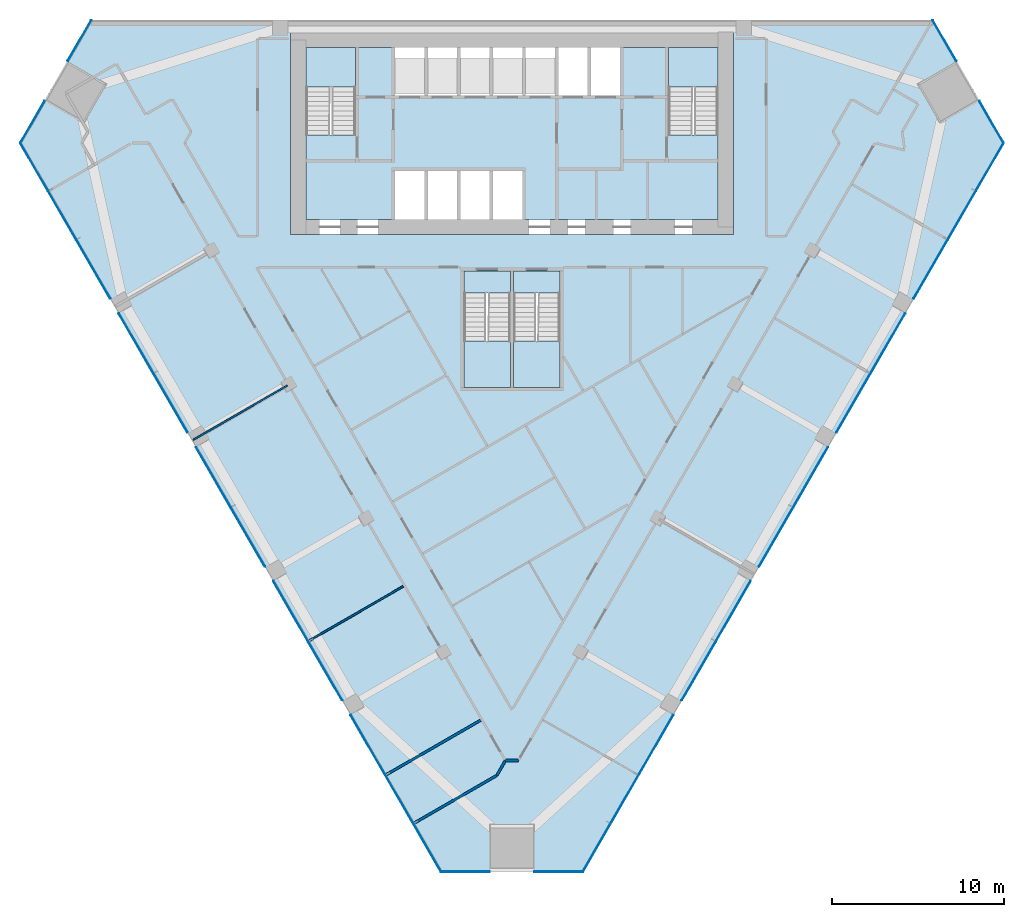
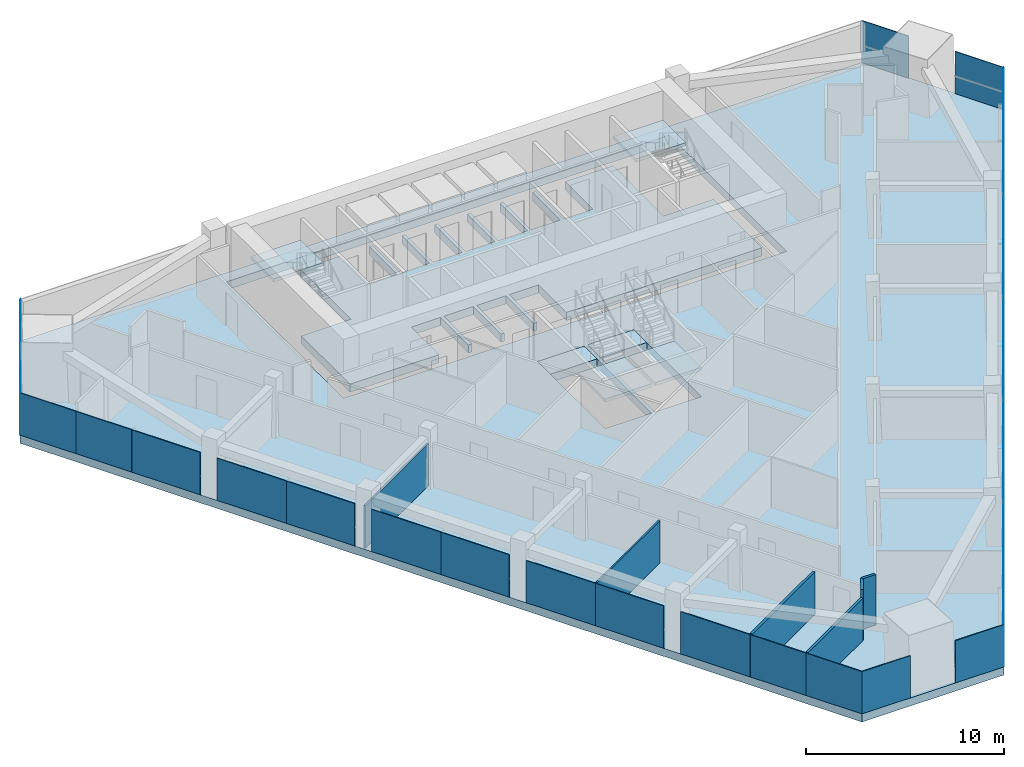
# One storey, part 8 of 14: 30 plates, 8 slabs, 6 walls, 9 elements without a shape of their own.
"""IFC4 building model written with IfcOpenShell, lengths in metres."""

from ifc_helpers import new_model, si_unit, direction, frame, frame_2d, origin, origin_2d, place, context, subcontext, project, spatial, polyline, rectangle, outline, extrude, material, layer, layer_set, type_object, element, aggregate, save


model = new_model("IFC4")

# Units and contexts
model_context = context("Model", 3, precision=1e-05, world=origin(), true_north=direction((0.0, 1.0)))
body_context = subcontext(model_context, "Body", "Model", "MODEL_VIEW")
ifc_project = project(units=[si_unit("LENGTHUNIT", "METRE"), si_unit("AREAUNIT", "SQUARE_METRE"), si_unit("VOLUMEUNIT", "CUBIC_METRE"), si_unit("PLANEANGLEUNIT", "RADIAN"), si_unit("MASSUNIT", "GRAM", prefix="KILO")], contexts=[model_context])

# Site, building, storey
site_placement = place(None, origin())
site = spatial("IfcSite", under=ifc_project, at=site_placement, CompositionType="ELEMENT")
building_placement = place(site_placement, origin())
building = spatial("IfcBuilding", under=site, at=building_placement, Name="Altiplano Prism Tower", CompositionType="ELEMENT")
storey_placement = place(building_placement, frame((0.0, 0.0, 108.0)))
storey = spatial("IfcBuildingStorey", under=building, at=storey_placement, Name="L27", CompositionType="ELEMENT", Elevation=108.0)

# Curtain wall, plates
ifc_material_1 = material(Name="Aluminium and glass", Category="aluminium")
ifc_layer_1 = layer(ifc_material_1, 0.303955078125)
ifc_layer_set_1 = layer_set([ifc_layer_1], Name="Aluminium and glass")
curtain_wall_type = type_object("IfcCurtainWallType", Name="CW2 lounge-band unitised glazing", PredefinedType="NOTDEFINED", material=ifc_layer_set_1)
curtain_wall_1_placement = place(storey_placement, origin())
curtain_wall_1 = element("IfcCurtainWall", 1, at=curtain_wall_1_placement, inside=storey, type_object=curtain_wall_type, Name="CW2 curtain wall north-west chamfer L27", PredefinedType="NOTDEFINED")
ifc_material_2 = material(Name="Clear glass", Category="glass")
ifc_layer_2 = layer(ifc_material_2, 0.0439453125)
ifc_layer_set_2 = layer_set([ifc_layer_2], Name="Clear glass")
plate_type = type_object("IfcPlateType", Name="CW2 insulated glass unit 44", PredefinedType="CURTAIN_PANEL", material=ifc_layer_set_2)
plate_1_placement = place(storey_placement, frame((59.8251953125, 103.79638671875, 0.0), z_axis=(0.0, 0.0, 1.0), x_axis=(-0.499999947354, -0.866025434179, 0.0)))
plate_1 = element("IfcPlate", 2, at=plate_1_placement, type_object=plate_type, Name="CW2 panel", PredefinedType="CURTAIN_PANEL", context=body_context, shape_type="SweptSolid", body=[
    extrude(rectangle(XDim=2.744140625, YDim=0.0439453125, at=origin_2d()), origin(), (0.0, 0.0, 1.0), 2.60009765625),
])
plate_2_placement = place(storey_placement, frame((57.088134765625, 99.0556640625, 0.0), z_axis=(0.0, 0.0, 1.0), x_axis=(-0.499999947354, -0.866025434179, 0.0)))
plate_2 = element("IfcPlate", 3, at=plate_2_placement, type_object=plate_type, Name="CW2 panel", PredefinedType="CURTAIN_PANEL", context=body_context, shape_type="SweptSolid", body=[
    extrude(rectangle(XDim=2.82421875, YDim=0.0439453125, at=origin_2d()), origin(), (0.0, 0.0, 1.0), 2.60009765625),
])
aggregate(curtain_wall_1, [plate_1, plate_2])

curtain_wall_2_placement = place(storey_placement, origin())
curtain_wall_2 = element("IfcCurtainWall", 4, at=curtain_wall_2_placement, inside=storey, type_object=curtain_wall_type, Name="CW2 curtain wall south-west face L27", PredefinedType="NOTDEFINED")
plate_3_placement = place(storey_placement, frame((57.19287109375, 96.442138671875, 0.0), z_axis=(0.0, 0.0, 1.0), x_axis=(0.499999989797, -0.866025409675, 0.0)))
plate_3 = element("IfcPlate", 5, at=plate_3_placement, type_object=plate_type, Name="CW2 panel", PredefinedType="CURTAIN_PANEL", context=body_context, shape_type="SweptSolid", body=[
    extrude(rectangle(XDim=3.24267578125, YDim=0.0439453125, at=origin_2d()), origin(), (0.0, 0.0, 1.0), 2.60009765625),
])
plate_4_placement = place(storey_placement, frame((58.819091796875, 93.625244140625, 0.0), z_axis=(0.0, 0.0, 1.0), x_axis=(0.499999989797, -0.866025409675, 0.0)))
plate_4 = element("IfcPlate", 6, at=plate_4_placement, type_object=plate_type, Name="CW2 panel", PredefinedType="CURTAIN_PANEL", context=body_context, shape_type="SweptSolid", body=[
    extrude(rectangle(XDim=3.24267578125, YDim=0.0439453125, at=origin_2d()), origin(), (0.0, 0.0, 1.0), 2.60009765625),
])
plate_5_placement = place(storey_placement, frame((60.625, 90.49755859375, 0.0), z_axis=(0.0, 0.0, 1.0), x_axis=(0.499999989797, -0.866025409675, 0.0)))
plate_5 = element("IfcPlate", 7, at=plate_5_placement, type_object=plate_type, Name="CW2 panel", PredefinedType="CURTAIN_PANEL", context=body_context, shape_type="SweptSolid", body=[
    extrude(rectangle(XDim=3.96044921875, YDim=0.0439453125, at=origin_2d()), origin(), (0.0, 0.0, 1.0), 2.60009765625),
])
plate_6_placement = place(storey_placement, frame((63.119873046875, 86.176025390625, 0.0), z_axis=(0.0, 0.0, 1.0), x_axis=(0.499999989797, -0.866025409675, 0.0)))
plate_6 = element("IfcPlate", 8, at=plate_6_placement, type_object=plate_type, Name="CW2 panel", PredefinedType="CURTAIN_PANEL", context=body_context, shape_type="SweptSolid", body=[
    extrude(rectangle(XDim=4.039306640625, YDim=0.0439453125, at=origin_2d()), origin(), (0.0, 0.0, 1.0), 2.60009765625),
])
plate_7_placement = place(storey_placement, frame((65.125, 82.703125, 0.0), z_axis=(0.0, 0.0, 1.0), x_axis=(0.499999989797, -0.866025409675, 0.0)))
plate_7 = element("IfcPlate", 9, at=plate_7_placement, type_object=plate_type, Name="CW2 panel", PredefinedType="CURTAIN_PANEL", context=body_context, shape_type="SweptSolid", body=[
    extrude(rectangle(XDim=3.96044921875, YDim=0.0439453125, at=origin_2d()), origin(), (0.0, 0.0, 1.0), 2.60009765625),
])
plate_8_placement = place(storey_placement, frame((67.619873046875, 78.381591796875, 0.0), z_axis=(0.0, 0.0, 1.0), x_axis=(0.499999989797, -0.866025409675, 0.0)))
plate_8 = element("IfcPlate", 10, at=plate_8_placement, type_object=plate_type, Name="CW2 panel", PredefinedType="CURTAIN_PANEL", context=body_context, shape_type="SweptSolid", body=[
    extrude(rectangle(XDim=4.039306640625, YDim=0.0439453125, at=origin_2d()), origin(), (0.0, 0.0, 1.0), 2.60009765625),
])
plate_9_placement = place(storey_placement, frame((69.625, 74.908935546875, 0.0), z_axis=(0.0, 0.0, 1.0), x_axis=(0.499999989797, -0.866025409675, 0.0)))
plate_9 = element("IfcPlate", 11, at=plate_9_placement, type_object=plate_type, Name="CW2 panel", PredefinedType="CURTAIN_PANEL", context=body_context, shape_type="SweptSolid", body=[
    extrude(rectangle(XDim=3.96044921875, YDim=0.0439453125, at=origin_2d()), origin(), (0.0, 0.0, 1.0), 2.60009765625),
])
plate_10_placement = place(storey_placement, frame((72.119873046875, 70.58740234375, 0.0), z_axis=(0.0, 0.0, 1.0), x_axis=(0.499999989797, -0.866025409675, 0.0)))
plate_10 = element("IfcPlate", 12, at=plate_10_placement, type_object=plate_type, Name="CW2 panel", PredefinedType="CURTAIN_PANEL", context=body_context, shape_type="SweptSolid", body=[
    extrude(rectangle(XDim=4.039306640625, YDim=0.0439453125, at=origin_2d()), origin(), (0.0, 0.0, 1.0), 2.60009765625),
])
plate_11_placement = place(storey_placement, frame((74.125, 67.11474609375, 0.0), z_axis=(0.0, 0.0, 1.0), x_axis=(0.499999989797, -0.866025409675, 0.0)))
plate_11 = element("IfcPlate", 13, at=plate_11_placement, type_object=plate_type, Name="CW2 panel", PredefinedType="CURTAIN_PANEL", context=body_context, shape_type="SweptSolid", body=[
    extrude(rectangle(XDim=3.96044921875, YDim=0.0439453125, at=origin_2d()), origin(), (0.0, 0.0, 1.0), 2.60009765625),
])
plate_12_placement = place(storey_placement, frame((76.619873046875, 62.793212890625, 0.0), z_axis=(0.0, 0.0, 1.0), x_axis=(0.499999989797, -0.866025409675, 0.0)))
plate_12 = element("IfcPlate", 14, at=plate_12_placement, type_object=plate_type, Name="CW2 panel", PredefinedType="CURTAIN_PANEL", context=body_context, shape_type="SweptSolid", body=[
    extrude(rectangle(XDim=4.039306640625, YDim=0.0439453125, at=origin_2d()), origin(), (0.0, 0.0, 1.0), 2.60009765625),
])
plate_13_placement = place(storey_placement, frame((78.445556640625, 59.63134765625, 0.0), z_axis=(0.0, 0.0, 1.0), x_axis=(0.499999989797, -0.866025409675, 0.0)))
plate_13 = element("IfcPlate", 15, at=plate_13_placement, type_object=plate_type, Name="CW2 panel", PredefinedType="CURTAIN_PANEL", context=body_context, shape_type="SweptSolid", body=[
    extrude(rectangle(XDim=3.24267578125, YDim=0.0439453125, at=origin_2d()), origin(), (0.0, 0.0, 1.0), 2.60009765625),
])
plate_14_placement = place(storey_placement, frame((80.07177734375, 56.814453125, 0.0), z_axis=(0.0, 0.0, 1.0), x_axis=(0.499999989797, -0.866025409675, 0.0)))
plate_14 = element("IfcPlate", 16, at=plate_14_placement, type_object=plate_type, Name="CW2 panel", PredefinedType="CURTAIN_PANEL", context=body_context, shape_type="SweptSolid", body=[
    extrude(rectangle(XDim=3.24267578125, YDim=0.0439453125, at=origin_2d()), origin(), (0.0, 0.0, 1.0), 2.60009765625),
])
aggregate(curtain_wall_2, [plate_3, plate_4, plate_5, plate_6, plate_7, plate_8, plate_9, plate_10, plate_11, plate_12, plate_13, plate_14])

curtain_wall_3_placement = place(storey_placement, origin())
curtain_wall_3 = element("IfcCurtainWall", 17, at=curtain_wall_3_placement, inside=storey, type_object=curtain_wall_type, Name="CW2 curtain wall south chamfer L27", PredefinedType="NOTDEFINED")
plate_15_placement = place(storey_placement, frame((82.282958984375, 55.4169921875, 0.0), z_axis=(0.0, 0.0, 1.0), x_axis=(1.0, 0.0, 0.0)))
plate_15 = element("IfcPlate", 18, at=plate_15_placement, type_object=plate_type, Name="CW2 panel", PredefinedType="CURTAIN_PANEL", context=body_context, shape_type="SweptSolid", body=[
    extrude(rectangle(XDim=2.823974609375, YDim=0.0439453125, at=origin_2d()), origin(), (0.0, 0.0, 1.0), 2.60009765625),
])
plate_16_placement = place(storey_placement, frame((87.717041015625, 55.4169921875, 0.0), z_axis=(0.0, 0.0, 1.0), x_axis=(1.0, 0.0, 0.0)))
plate_16 = element("IfcPlate", 19, at=plate_16_placement, type_object=plate_type, Name="CW2 panel", PredefinedType="CURTAIN_PANEL", context=body_context, shape_type="SweptSolid", body=[
    extrude(rectangle(XDim=2.823974609375, YDim=0.0439453125, at=origin_2d()), origin(), (0.0, 0.0, 1.0), 2.60009765625),
])
aggregate(curtain_wall_3, [plate_15, plate_16])

curtain_wall_4_placement = place(storey_placement, origin())
curtain_wall_4 = element("IfcCurtainWall", 20, at=curtain_wall_4_placement, inside=storey, type_object=curtain_wall_type, Name="CW2 curtain wall south-east face L27", PredefinedType="NOTDEFINED")
plate_17_placement = place(storey_placement, frame((89.92822265625, 56.814453125, 0.0), z_axis=(0.0, 0.0, 1.0), x_axis=(0.499999989797, 0.866025409675, 0.0)))
plate_17 = element("IfcPlate", 21, at=plate_17_placement, type_object=plate_type, Name="CW2 panel", PredefinedType="CURTAIN_PANEL", context=body_context, shape_type="SweptSolid", body=[
    extrude(rectangle(XDim=3.24267578125, YDim=0.0439453125, at=origin_2d()), origin(), (0.0, 0.0, 1.0), 2.60009765625),
])
plate_18_placement = place(storey_placement, frame((91.554443359375, 59.63134765625, 0.0), z_axis=(0.0, 0.0, 1.0), x_axis=(0.499999989797, 0.866025409675, 0.0)))
plate_18 = element("IfcPlate", 22, at=plate_18_placement, type_object=plate_type, Name="CW2 panel", PredefinedType="CURTAIN_PANEL", context=body_context, shape_type="SweptSolid", body=[
    extrude(rectangle(XDim=3.24267578125, YDim=0.0439453125, at=origin_2d()), origin(), (0.0, 0.0, 1.0), 2.60009765625),
])
plate_19_placement = place(storey_placement, frame((93.380126953125, 62.793212890625, 0.0), z_axis=(0.0, 0.0, 1.0), x_axis=(0.499999989797, 0.866025409675, 0.0)))
plate_19 = element("IfcPlate", 23, at=plate_19_placement, type_object=plate_type, Name="CW2 panel", PredefinedType="CURTAIN_PANEL", context=body_context, shape_type="SweptSolid", body=[
    extrude(rectangle(XDim=4.039306640625, YDim=0.0439453125, at=origin_2d()), origin(), (0.0, 0.0, 1.0), 2.60009765625),
])
plate_20_placement = place(storey_placement, frame((95.875, 67.11474609375, 0.0), z_axis=(0.0, 0.0, 1.0), x_axis=(0.499999989797, 0.866025409675, 0.0)))
plate_20 = element("IfcPlate", 24, at=plate_20_placement, type_object=plate_type, Name="CW2 panel", PredefinedType="CURTAIN_PANEL", context=body_context, shape_type="SweptSolid", body=[
    extrude(rectangle(XDim=3.96044921875, YDim=0.0439453125, at=origin_2d()), origin(), (0.0, 0.0, 1.0), 2.60009765625),
])
plate_21_placement = place(storey_placement, frame((97.880126953125, 70.58740234375, 0.0), z_axis=(0.0, 0.0, 1.0), x_axis=(0.499999989797, 0.866025409675, 0.0)))
plate_21 = element("IfcPlate", 25, at=plate_21_placement, type_object=plate_type, Name="CW2 panel", PredefinedType="CURTAIN_PANEL", context=body_context, shape_type="SweptSolid", body=[
    extrude(rectangle(XDim=4.039306640625, YDim=0.0439453125, at=origin_2d()), origin(), (0.0, 0.0, 1.0), 2.60009765625),
])
plate_22_placement = place(storey_placement, frame((100.375, 74.908935546875, 0.0), z_axis=(0.0, 0.0, 1.0), x_axis=(0.499999989797, 0.866025409675, 0.0)))
plate_22 = element("IfcPlate", 26, at=plate_22_placement, type_object=plate_type, Name="CW2 panel", PredefinedType="CURTAIN_PANEL", context=body_context, shape_type="SweptSolid", body=[
    extrude(rectangle(XDim=3.96044921875, YDim=0.0439453125, at=origin_2d()), origin(), (0.0, 0.0, 1.0), 2.60009765625),
])
plate_23_placement = place(storey_placement, frame((102.380126953125, 78.381591796875, 0.0), z_axis=(0.0, 0.0, 1.0), x_axis=(0.499999989797, 0.866025409675, 0.0)))
plate_23 = element("IfcPlate", 27, at=plate_23_placement, type_object=plate_type, Name="CW2 panel", PredefinedType="CURTAIN_PANEL", context=body_context, shape_type="SweptSolid", body=[
    extrude(rectangle(XDim=4.039306640625, YDim=0.0439453125, at=origin_2d()), origin(), (0.0, 0.0, 1.0), 2.60009765625),
])
plate_24_placement = place(storey_placement, frame((104.875, 82.703125, 0.0), z_axis=(0.0, 0.0, 1.0), x_axis=(0.499999989797, 0.866025409675, 0.0)))
plate_24 = element("IfcPlate", 28, at=plate_24_placement, type_object=plate_type, Name="CW2 panel", PredefinedType="CURTAIN_PANEL", context=body_context, shape_type="SweptSolid", body=[
    extrude(rectangle(XDim=3.96044921875, YDim=0.0439453125, at=origin_2d()), origin(), (0.0, 0.0, 1.0), 2.60009765625),
])
plate_25_placement = place(storey_placement, frame((106.880126953125, 86.176025390625, 0.0), z_axis=(0.0, 0.0, 1.0), x_axis=(0.499999989797, 0.866025409675, 0.0)))
plate_25 = element("IfcPlate", 29, at=plate_25_placement, type_object=plate_type, Name="CW2 panel", PredefinedType="CURTAIN_PANEL", context=body_context, shape_type="SweptSolid", body=[
    extrude(rectangle(XDim=4.039306640625, YDim=0.0439453125, at=origin_2d()), origin(), (0.0, 0.0, 1.0), 2.60009765625),
])
plate_26_placement = place(storey_placement, frame((109.375, 90.49755859375, 0.0), z_axis=(0.0, 0.0, 1.0), x_axis=(0.499999989797, 0.866025409675, 0.0)))
plate_26 = element("IfcPlate", 30, at=plate_26_placement, type_object=plate_type, Name="CW2 panel", PredefinedType="CURTAIN_PANEL", context=body_context, shape_type="SweptSolid", body=[
    extrude(rectangle(XDim=3.96044921875, YDim=0.0439453125, at=origin_2d()), origin(), (0.0, 0.0, 1.0), 2.60009765625),
])
plate_27_placement = place(storey_placement, frame((111.180908203125, 93.625244140625, 0.0), z_axis=(0.0, 0.0, 1.0), x_axis=(0.499999989797, 0.866025409675, 0.0)))
plate_27 = element("IfcPlate", 31, at=plate_27_placement, type_object=plate_type, Name="CW2 panel", PredefinedType="CURTAIN_PANEL", context=body_context, shape_type="SweptSolid", body=[
    extrude(rectangle(XDim=3.24267578125, YDim=0.0439453125, at=origin_2d()), origin(), (0.0, 0.0, 1.0), 2.60009765625),
])
plate_28_placement = place(storey_placement, frame((112.80712890625, 96.442138671875, 0.0), z_axis=(0.0, 0.0, 1.0), x_axis=(0.499999989797, 0.866025409675, 0.0)))
plate_28 = element("IfcPlate", 32, at=plate_28_placement, type_object=plate_type, Name="CW2 panel", PredefinedType="CURTAIN_PANEL", context=body_context, shape_type="SweptSolid", body=[
    extrude(rectangle(XDim=3.24267578125, YDim=0.0439453125, at=origin_2d()), origin(), (0.0, 0.0, 1.0), 2.60009765625),
])
aggregate(curtain_wall_4, [plate_17, plate_18, plate_19, plate_20, plate_21, plate_22, plate_23, plate_24, plate_25, plate_26, plate_27, plate_28])

curtain_wall_5_placement = place(storey_placement, origin())
curtain_wall_5 = element("IfcCurtainWall", 33, at=curtain_wall_5_placement, inside=storey, type_object=curtain_wall_type, Name="CW2 curtain wall north-east chamfer L27", PredefinedType="NOTDEFINED")
plate_29_placement = place(storey_placement, frame((112.911865234375, 99.0556640625, 0.0), z_axis=(0.0, 0.0, 1.0), x_axis=(-0.499999947354, 0.866025434179, 0.0)))
plate_29 = element("IfcPlate", 34, at=plate_29_placement, type_object=plate_type, Name="CW2 panel", PredefinedType="CURTAIN_PANEL", context=body_context, shape_type="SweptSolid", body=[
    extrude(rectangle(XDim=2.82421875, YDim=0.0439453125, at=origin_2d()), origin(), (0.0, 0.0, 1.0), 2.60009765625),
])
plate_30_placement = place(storey_placement, frame((110.1748046875, 103.79638671875, 0.0), z_axis=(0.0, 0.0, 1.0), x_axis=(-0.499999947354, 0.866025434179, 0.0)))
plate_30 = element("IfcPlate", 35, at=plate_30_placement, type_object=plate_type, Name="CW2 panel", PredefinedType="CURTAIN_PANEL", context=body_context, shape_type="SweptSolid", body=[
    extrude(rectangle(XDim=2.744140625, YDim=0.0439453125, at=origin_2d()), origin(), (0.0, 0.0, 1.0), 2.60009765625),
])
aggregate(curtain_wall_5, [plate_29, plate_30])

# Slabs
ifc_material_3 = material(Name="Concrete C40/50", Category="concrete")
ifc_layer_3 = layer(ifc_material_3, 0.5)
ifc_layer_set_3 = layer_set([ifc_layer_3], Name="Concrete C40/50")
slab_type_1 = type_object("IfcSlabType", Name="Core floor slab 500", PredefinedType="FLOOR", material=ifc_layer_set_3)
slab_1_placement = place(storey_placement, frame((0.0, 0.0, -0.5)))
element("IfcSlab", 36, at=slab_1_placement, inside=storey, type_object=slab_type_1, Name="Core floor slab L27", PredefinedType="FLOOR", context=body_context, shape_type="SweptSolid", body=[
    extrude(outline(polyline([(97.0, 98.31005859375), (94.10009765625, 98.31005859375), (94.10009765625, 103.39990234375), (91.300048828125, 103.39990234375), (91.300048828125, 100.60009765625), (89.60009765625, 100.60009765625), (89.60009765625, 103.39990234375), (89.39990234375, 103.39990234375), (89.39990234375, 100.60009765625), (87.699951171875, 100.60009765625), (87.699951171875, 103.39990234375), (87.5, 103.39990234375), (87.5, 100.60009765625), (85.800048828125, 100.60009765625), (85.800048828125, 103.39990234375), (85.60009765625, 103.39990234375), (85.60009765625, 100.60009765625), (83.89990234375, 100.60009765625), (83.89990234375, 103.39990234375), (83.699951171875, 103.39990234375), (83.699951171875, 100.60009765625), (82.0, 100.60009765625), (82.0, 103.39990234375), (81.800048828125, 103.39990234375), (81.800048828125, 100.60009765625), (80.10009765625, 100.60009765625), (80.10009765625, 103.39990234375), (79.89990234375, 103.39990234375), (79.89990234375, 100.60009765625), (78.199951171875, 100.60009765625), (78.199951171875, 103.39990234375), (75.89990234375, 103.39990234375), (75.89990234375, 98.31005859375), (73.0, 98.31005859375), (73.0, 93.39990234375), (78.199951171875, 93.39990234375), (78.199951171875, 96.199951171875), (79.89990234375, 96.199951171875), (79.89990234375, 93.39990234375), (80.10009765625, 93.39990234375), (80.10009765625, 96.199951171875), (81.800048828125, 96.199951171875), (81.800048828125, 93.39990234375), (82.0, 93.39990234375), (82.0, 96.199951171875), (83.699951171875, 96.199951171875), (83.699951171875, 93.39990234375), (83.89990234375, 93.39990234375), (83.89990234375, 96.199951171875), (85.60009765625, 96.199951171875), (85.60009765625, 93.39990234375), (97.0, 93.39990234375), (97.0, 98.31005859375)])), origin(), (0.0, 0.0, 1.0), 0.5),
])
slab_2_placement = place(storey_placement, frame((0.0, 0.0, -0.5)))
element("IfcSlab", 37, at=slab_2_placement, inside=storey, type_object=slab_type_1, Name="Stair 3A landing slab L27", PredefinedType="FLOOR", context=body_context, shape_type="SweptSolid", body=[
    extrude(outline(polyline([(82.199951171875, 89.096923828125), (84.89990234375, 89.096923828125), (84.89990234375, 90.39990234375), (82.199951171875, 90.39990234375), (82.199951171875, 89.096923828125)])), origin(), (0.0, 0.0, 1.0), 0.5),
])
slab_3_placement = place(storey_placement, frame((0.0, 0.0, -0.5)))
element("IfcSlab", 38, at=slab_3_placement, inside=storey, type_object=slab_type_1, Name="Stair 3B landing slab L27", PredefinedType="FLOOR", context=body_context, shape_type="SweptSolid", body=[
    extrude(outline(polyline([(85.10009765625, 89.096923828125), (87.800048828125, 89.096923828125), (87.800048828125, 90.39990234375), (85.10009765625, 90.39990234375), (85.10009765625, 89.096923828125)])), origin(), (0.0, 0.0, 1.0), 0.5),
])
ifc_layer_4 = layer(ifc_material_3, 0.5)
ifc_layer_set_4 = layer_set([ifc_layer_4], Name="Concrete C40/50")
slab_type_2 = type_object("IfcSlabType", Name="Post-tensioned flat slab 500", PredefinedType="FLOOR", material=ifc_layer_set_4)
slab_4_placement = place(storey_placement, frame((0.0, 0.0, -0.5)))
element("IfcSlab", 39, at=slab_4_placement, inside=storey, type_object=slab_type_2, Name="Floor slab L27", PredefinedType="FLOOR", context=body_context, shape_type="SweptSolid", body=[
    extrude(outline(polyline([(80.865966796875, 55.39501953125), (56.360595703125, 97.839599609375), (60.49462890625, 105.0), (109.50537109375, 105.0), (113.639404296875, 97.839599609375), (89.134033203125, 55.39501953125), (80.865966796875, 55.39501953125)]), holes=[polyline([(72.10009765625, 104.300048828125), (72.10009765625, 92.5), (97.89990234375, 92.5), (97.89990234375, 104.300048828125), (72.10009765625, 104.300048828125)]), polyline([(84.89990234375, 90.39990234375), (82.199951171875, 90.39990234375), (82.199951171875, 83.60009765625), (84.89990234375, 83.60009765625), (84.89990234375, 90.39990234375)]), polyline([(87.800048828125, 83.60009765625), (87.800048828125, 90.39990234375), (85.10009765625, 90.39990234375), (85.10009765625, 83.60009765625), (87.800048828125, 83.60009765625)])]), origin(), (0.0, 0.0, 1.0), 0.5),
])

# Stair, slab
stair_type_1 = type_object("IfcStairType", Name="Exit stair 1400", PredefinedType="HALF_TURN_STAIR", material=ifc_material_3)
stair_1_placement = place(storey_placement, origin())
stair_1 = element("IfcStair", 40, at=stair_1_placement, inside=storey, type_object=stair_type_1, Name="L27 Exit Stair 1", PredefinedType="HALF_TURN_STAIR")
ifc_layer_5 = layer(ifc_material_3, 0.199951171875)
ifc_layer_set_5 = layer_set([ifc_layer_5], Name="Concrete C40/50")
slab_type_3 = type_object("IfcSlabType", Name="Stair landing 200", PredefinedType="LANDING", material=ifc_layer_set_5)
slab_5_placement = place(storey_placement, frame((0.0, 0.0, 1.60009765625)))
slab_5 = element("IfcSlab", 41, at=slab_5_placement, type_object=slab_type_3, Name="ST1 landing 1", PredefinedType="LANDING", context=body_context, shape_type="SweptSolid", body=[
    extrude(outline(polyline([(75.89990234375, 101.096923828125), (75.89990234375, 103.39990234375), (73.0, 103.39990234375), (73.0, 101.096923828125), (75.89990234375, 101.096923828125)])), origin(), (0.0, 0.0, 1.0), 0.199951171875),
])
aggregate(stair_1, [slab_5])

stair_2_placement = place(storey_placement, origin())
stair_2 = element("IfcStair", 42, at=stair_2_placement, inside=storey, type_object=stair_type_1, Name="L27 Exit Stair 2", PredefinedType="HALF_TURN_STAIR")
slab_6_placement = place(storey_placement, frame((0.0, 0.0, 1.60009765625)))
slab_6 = element("IfcSlab", 43, at=slab_6_placement, type_object=slab_type_3, Name="ST2 landing 1", PredefinedType="LANDING", context=body_context, shape_type="SweptSolid", body=[
    extrude(outline(polyline([(97.0, 101.096923828125), (97.0, 103.39990234375), (94.10009765625, 103.39990234375), (94.10009765625, 101.096923828125), (97.0, 101.096923828125)])), origin(), (0.0, 0.0, 1.0), 0.199951171875),
])
aggregate(stair_2, [slab_6])

stair_type_2 = type_object("IfcStairType", Name="Exit stair 1300", PredefinedType="HALF_TURN_STAIR", material=ifc_material_3)
stair_3_placement = place(storey_placement, origin())
stair_3 = element("IfcStair", 44, at=stair_3_placement, inside=storey, type_object=stair_type_2, Name="L27 Exit Stair 3A", PredefinedType="HALF_TURN_STAIR")
slab_7_placement = place(storey_placement, frame((0.0, 0.0, 1.60009765625)))
slab_7 = element("IfcSlab", 45, at=slab_7_placement, type_object=slab_type_3, Name="ST3A landing 1", PredefinedType="LANDING", context=body_context, shape_type="SweptSolid", body=[
    extrude(outline(polyline([(82.199951171875, 86.302978515625), (82.199951171875, 83.60009765625), (84.89990234375, 83.60009765625), (84.89990234375, 86.302978515625), (82.199951171875, 86.302978515625)])), origin(), (0.0, 0.0, 1.0), 0.199951171875),
])
aggregate(stair_3, [slab_7])

stair_4_placement = place(storey_placement, origin())
stair_4 = element("IfcStair", 46, at=stair_4_placement, inside=storey, type_object=stair_type_2, Name="L27 Exit Stair 3B", PredefinedType="HALF_TURN_STAIR")
slab_8_placement = place(storey_placement, frame((0.0, 0.0, 1.60009765625)))
slab_8 = element("IfcSlab", 47, at=slab_8_placement, type_object=slab_type_3, Name="ST3B landing 1", PredefinedType="LANDING", context=body_context, shape_type="SweptSolid", body=[
    extrude(outline(polyline([(85.10009765625, 86.302978515625), (85.10009765625, 83.60009765625), (87.800048828125, 83.60009765625), (87.800048828125, 86.302978515625), (85.10009765625, 86.302978515625)])), origin(), (0.0, 0.0, 1.0), 0.199951171875),
])
aggregate(stair_4, [slab_8])

# Walls
ifc_material_4 = material(Name="Plasterboard on steel stud", Category="steel")
ifc_layer_6 = layer(ifc_material_4, 0.10009765625)
ifc_layer_set_6 = layer_set([ifc_layer_6], Name="Plasterboard on steel stud")
wall_type_1 = type_object("IfcWallType", Name="Partition 100 wet", PredefinedType="PARTITIONING", material=ifc_layer_set_6)
for number, where, z_axis, x_axis, name in (
    (48, (66.449951171875, 80.564453125, 0.0), (0.0, 0.0, 1.0), (0.866032601554, 0.49998753289, 0.0), "Partition P03 L27 046"),
    (49, (73.199951171875, 68.873046875, 0.0), (0.0, 0.0, 1.0), (0.866015887322, 0.500016482634, 0.0), "Partition P03 L27 047"),
):
    element("IfcWall", number, at=place(storey_placement, frame(where, z_axis=z_axis, x_axis=x_axis)), inside=storey, type_object=wall_type_1, Name=name, PredefinedType="PARTITIONING", context=body_context, shape_type="SweptSolid", body=[
        extrude(rectangle(XDim=6.324951171875, YDim=0.10009765625, at=frame_2d((3.16259765625, 0.0))), origin(), (0.0, 0.0, 1.0), 2.60009765625),
    ])
ifc_layer_7 = layer(ifc_material_4, 0.14990234375)
ifc_layer_set_7 = layer_set([ifc_layer_7], Name="Plasterboard on steel stud")
wall_type_2 = type_object("IfcWallType", Name="Partition 150 corridor", PredefinedType="PARTITIONING", material=ifc_layer_set_7)
wall_1_placement = place(storey_placement, frame((84.61865234375, 61.89501953125, 0.0), z_axis=(0.0, 0.0, 1.0), x_axis=(1.0, 0.0, 0.0)))
element("IfcWall", 50, at=wall_1_placement, inside=storey, type_object=wall_type_2, Name="Partition P06 L27 006", PredefinedType="PARTITIONING", context=body_context, shape_type="SweptSolid", body=[
    extrude(rectangle(XDim=0.7626953125, YDim=0.14990234375, at=frame_2d((0.38134765625, 0.0))), origin(), (0.0, 0.0, 1.0), 3.10009765625),
])
ifc_layer_8 = layer(ifc_material_4, 0.14990234375)
ifc_layer_set_8 = layer_set([ifc_layer_8], Name="Plasterboard on steel stud")
wall_type_3 = type_object("IfcWallType", Name="Partition 150 party", PredefinedType="PARTITIONING", material=ifc_layer_set_8)
wall_2_placement = place(storey_placement, frame((77.699951171875, 61.078857421875, 0.0), z_axis=(0.0, 0.0, 1.0), x_axis=(0.866015887322, 0.500016482634, 0.0)))
element("IfcWall", 51, at=wall_2_placement, inside=storey, type_object=wall_type_3, Name="Partition P01 L27 048", PredefinedType="PARTITIONING", context=body_context, shape_type="SweptSolid", body=[
    extrude(rectangle(XDim=6.324951171875, YDim=0.14990234375, at=frame_2d((3.16259765625, 0.0))), origin(), (0.0, 0.0, 1.0), 2.60009765625),
])
wall_3_placement = place(storey_placement, frame((79.326171875, 58.261962890625, 0.0), z_axis=(0.0, 0.0, 1.0), x_axis=(0.866032773548, 0.499987234978, 0.0)))
element("IfcWall", 52, at=wall_3_placement, inside=storey, type_object=wall_type_3, Name="Partition P01 L27 049", PredefinedType="PARTITIONING", context=body_context, shape_type="SweptSolid", body=[
    extrude(rectangle(XDim=5.533935546875, YDim=0.14990234375, at=frame_2d((2.76708984375, 0.0))), origin(), (0.0, 0.0, 1.0), 2.60009765625),
])
wall_4_placement = place(storey_placement, frame((84.11865234375, 61.02880859375, 0.0), z_axis=(0.0, 0.0, 1.0), x_axis=(0.499919672301, 0.866071776036, 0.0)))
element("IfcWall", 53, at=wall_4_placement, inside=storey, type_object=wall_type_3, Name="Partition P01 L27 050", PredefinedType="PARTITIONING", context=body_context, shape_type="SweptSolid", body=[
    extrude(rectangle(XDim=1.000244140625, YDim=0.14990234375, at=frame_2d((0.5, 0.0))), origin(), (0.0, 0.0, 1.0), 3.10009765625),
])

save(model, "model.ifc")
